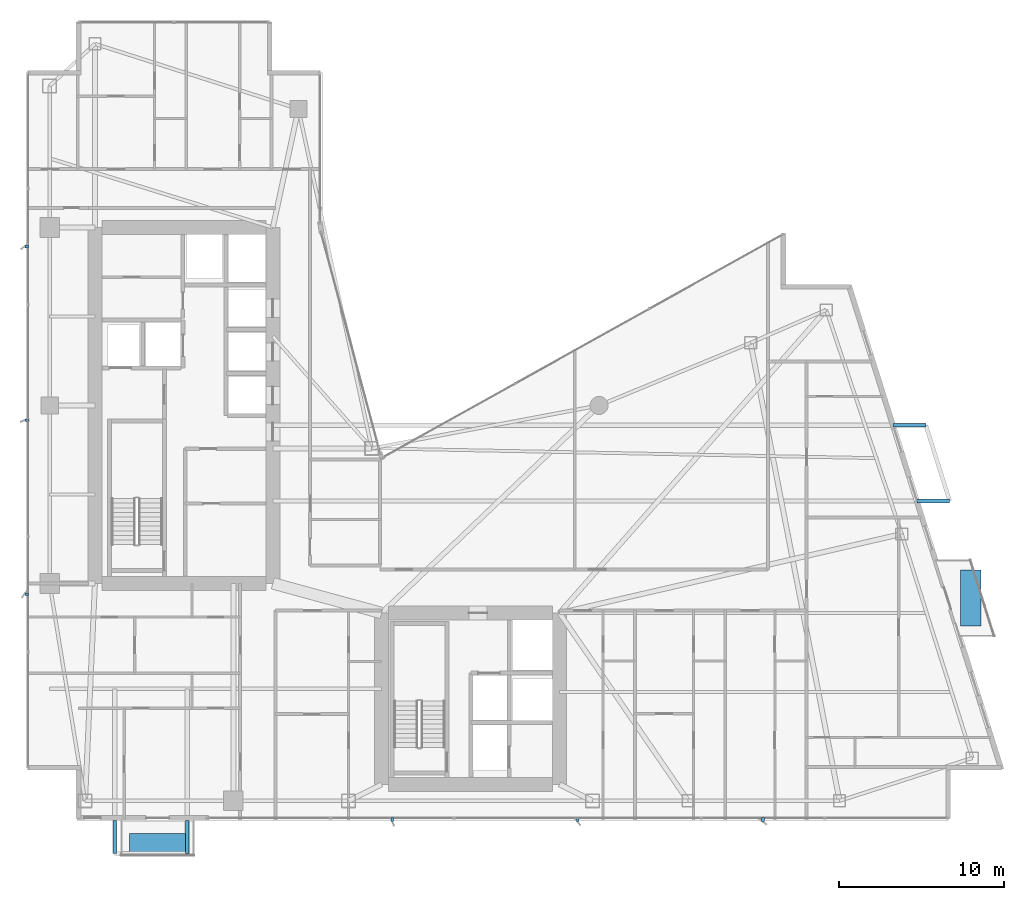
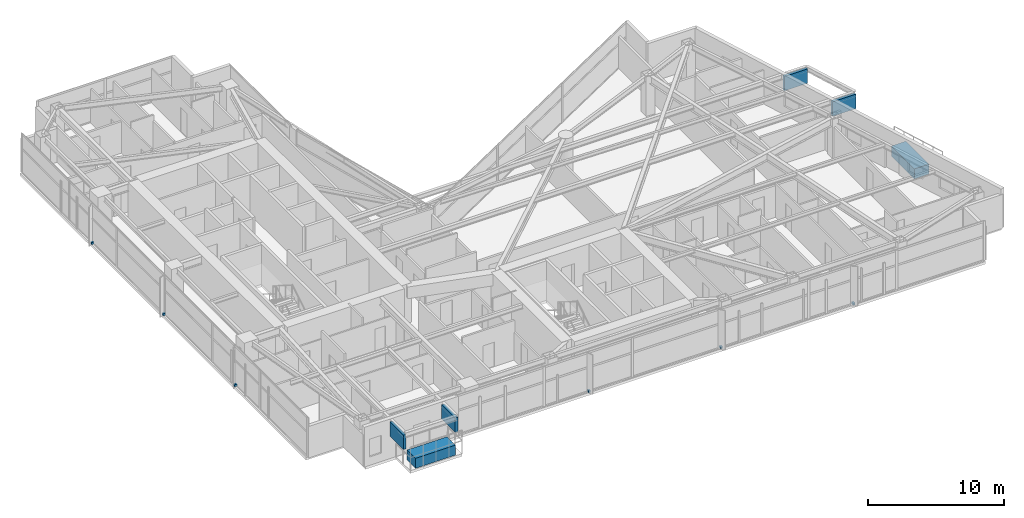
# One storey, part 26 of 28: 12 discrete accessories.
"""IFC4 building model written with IfcOpenShell, lengths in metres."""

import ifcopenshell
import ifcopenshell.guid

model = None  # the IFC model being written
_history = None  # IfcOwnerHistory: only IFC2X3 demands one
_inside = {}  # id of a spatial element -> (the spatial element, [elements in it])
_under = {}  # id of a project, library or spatial element -> (it, [spatial elements below it])
_declared = {}  # id of a project -> (the project, [libraries it declares])
_typed = {}  # id of a type object -> (the type object, [elements of that type])
_made_of = {}  # id of a material, layer set ... -> (it, [elements and type objects made of it])


def new_model(schema):
    """Start an empty IFC model of exactly this schema.

    Asked for "IFC4X3", IfcOpenShell would pick the latest addendum, in which some entities
    have other attributes; the version numbers below select the first issue.
    IFC2X3 requires an IfcOwnerHistory on every rooted entity: one is made here for all.
    """
    global model, _history
    if schema == "IFC4X3":
        model = ifcopenshell.file(schema_version=(4, 3, 0, 0))
    else:
        model = ifcopenshell.file(schema=schema)
    _inside.clear()
    _under.clear()
    _declared.clear()
    _typed.clear()
    _made_of.clear()
    _history = None
    if model.schema == "IFC2X3":
        org = make("IfcOrganization", Name="unknown")
        user = make(
            "IfcPersonAndOrganization",
            ThePerson=make("IfcPerson", FamilyName="unknown"),
            TheOrganization=org,
        )
        app = make(
            "IfcApplication",
            ApplicationDeveloper=org,
            Version="unknown",
            ApplicationFullName="unknown",
            ApplicationIdentifier="unknown",
        )
        _history = make(
            "IfcOwnerHistory",
            OwningUser=user,
            OwningApplication=app,
            ChangeAction="ADDED",
            CreationDate=0,
        )
    return model


def make(cls, **values):
    """One entity of the class cls with the attributes given. An attribute that is None is left unset."""
    return model.create_entity(
        cls, **{name: value for name, value in values.items() if value is not None}
    )


def rooted(cls, **values):
    """An entity with a GlobalId (a new one), such as an element, a storey or a relation."""
    return make(cls, GlobalId=ifcopenshell.guid.new(), OwnerHistory=_history, **values)


def si_unit(unit_type, name, prefix=None):
    """IfcSIUnit, for example si_unit("LENGTHUNIT", "METRE", prefix="MILLI")."""
    return make("IfcSIUnit", UnitType=unit_type, Prefix=prefix, Name=name)


def assignment(units):
    """IfcUnitAssignment: the units of a project."""
    return None if units is None else make("IfcUnitAssignment", Units=units)


def point(xyz):
    """IfcCartesianPoint."""
    return None if xyz is None else make("IfcCartesianPoint", Coordinates=xyz)


def direction(xyz):
    """IfcDirection."""
    return None if xyz is None else make("IfcDirection", DirectionRatios=xyz)


def frame(location, z_axis=None, x_axis=None):
    """IfcAxis2Placement3D, a coordinate frame: its origin and axes. An axis left out is left unset."""
    return make(
        "IfcAxis2Placement3D",
        Location=point(location),
        Axis=direction(z_axis),
        RefDirection=direction(x_axis),
    )


def frame_2d(location, x_axis=None):
    """IfcAxis2Placement2D, a coordinate frame in the plane: its origin and x axis."""
    return make(
        "IfcAxis2Placement2D", Location=point(location), RefDirection=direction(x_axis)
    )


def origin():
    """The frame at (0, 0, 0) with its axes left unset."""
    return frame((0.0, 0.0, 0.0))


def origin_2d():
    """The frame at (0, 0) in the plane with its x axis left unset."""
    return frame_2d((0.0, 0.0))


def place(relative_to, where):
    """IfcLocalPlacement: puts the frame where relative to a parent placement (None: the world)."""
    return make(
        "IfcLocalPlacement", PlacementRelTo=relative_to, RelativePlacement=where
    )


def context(
    kind, dimensions, precision=None, world=None, true_north=None, identifier=None
):
    """IfcGeometricRepresentationContext, for example the 3D "Model" context."""
    return make(
        "IfcGeometricRepresentationContext",
        ContextIdentifier=identifier,
        ContextType=kind,
        CoordinateSpaceDimension=dimensions,
        Precision=precision,
        WorldCoordinateSystem=world,
        TrueNorth=true_north,
    )


def subcontext(parent, identifier, kind, view, scale=None):
    """IfcGeometricRepresentationSubContext, for example "Body" below "Model"."""
    return make(
        "IfcGeometricRepresentationSubContext",
        ContextIdentifier=identifier,
        ContextType=kind,
        ParentContext=parent,
        TargetScale=scale,
        TargetView=view,
    )


def project(units=None, contexts=None):
    """IfcProject with its units and contexts."""
    return rooted(
        "IfcProject",
        Name="project",
        RepresentationContexts=contexts,
        UnitsInContext=assignment(units),
    )


def spatial(cls, under=None, at=None, **own):
    """A site, building, storey or space (cls), placed at a placement, below another one or the project."""
    s = rooted(cls, ObjectPlacement=at, **own)
    if under is not None:
        _under.setdefault(under.id(), (under, []))[1].append(s)
    return s


def profile(cls, at=None, kind="AREA", **sizes):
    """A parametric profile (cls). Its sizes go by their IFC names, for example OverallWidth=200.0."""
    return make(cls, ProfileType=kind, Position=at, **sizes)


def rectangle(**sizes):
    """IfcRectangleProfileDef."""
    return profile("IfcRectangleProfileDef", **sizes)


def extrude(swept, where, along, depth):
    """IfcExtrudedAreaSolid: the profile swept, set in the frame where, extruded along a direction by depth."""
    return make(
        "IfcExtrudedAreaSolid",
        SweptArea=swept,
        Position=where,
        ExtrudedDirection=direction(along),
        Depth=depth,
    )


def shape(context_of_items, identifier, shape_type, items):
    """IfcShapeRepresentation: the items that make up one representation, for example the "Body"."""
    return make(
        "IfcShapeRepresentation",
        ContextOfItems=context_of_items,
        RepresentationIdentifier=identifier,
        RepresentationType=shape_type,
        Items=items,
    )


def material(Name=None, Category=None):
    """IfcMaterial."""
    return make("IfcMaterial", Name=Name, Category=Category)


def made_of(thing, what):
    """Note that an element or type object is made of a material, layer set ...; save() writes the relation."""
    if what is not None:
        _made_of.setdefault(what.id(), (what, []))[1].append(thing)
    return thing


def type_object(cls, material=None, **own):
    """A type object (cls), such as IfcWallType, which elements share."""
    return made_of(rooted(cls, **own), material)


def element(
    cls,
    number,
    at=None,
    inside=None,
    cuts=None,
    type_object=None,
    material=None,
    context=None,
    identifier="Body",
    shape_type=None,
    held_by="IfcProductDefinitionShape",
    body=None,
    shapes=None,
    **own,
):
    """One element of the class cls, such as IfcWall. Its Tag is "e" and its number.

    at: its placement. inside: the storey or other place that contains it. cuts: it is an
    opening in that element (IfcRelVoidsElement). A single representation is given by context,
    identifier, shape_type and body (its items); several are given by shapes. held_by: the class
    of the entity that holds the representations. save() writes the other relations.
    """
    e = rooted(cls, Tag="e%d" % number, ObjectPlacement=at, **own)
    if body is not None:
        shapes = [shape(context, identifier, shape_type, body)]
    if shapes is not None:
        e.Representation = make(held_by, Representations=shapes)
    if inside is not None:
        _inside.setdefault(inside.id(), (inside, []))[1].append(e)
    if cuts is not None:
        rooted(
            "IfcRelVoidsElement", RelatingBuildingElement=cuts, RelatedOpeningElement=e
        )
    if type_object is not None:
        _typed.setdefault(type_object.id(), (type_object, []))[1].append(e)
    return made_of(e, material)


def aggregate(whole, parts):
    """IfcRelAggregates: a whole, such as a stair, and the parts it consists of."""
    return rooted("IfcRelAggregates", RelatingObject=whole, RelatedObjects=parts)


def save(model, path):
    """Write the relations noted so far, then the file.

    IfcRelAggregates (storeys below a building ...), IfcRelContainedInSpatialStructure (elements
    in a storey), IfcRelDefinesByType, IfcRelAssociatesMaterial and IfcRelDeclares: one each for
    every whole, place, type object, material and project.
    """
    for whole, parts in _under.values():
        aggregate(whole, parts)
    for where, things in _inside.values():
        rooted(
            "IfcRelContainedInSpatialStructure",
            RelatedElements=things,
            RelatingStructure=where,
        )
    for kind, things in _typed.values():
        rooted("IfcRelDefinesByType", RelatedObjects=things, RelatingType=kind)
    for what, things in _made_of.values():
        rooted("IfcRelAssociatesMaterial", RelatedObjects=things, RelatingMaterial=what)
    for by, libraries in _declared.values():
        rooted("IfcRelDeclares", RelatingContext=by, RelatedDefinitions=libraries)
    model.write(path)


model = new_model("IFC4")

# Units and contexts
model_context = context("Model", 3, precision=1e-05, world=origin(), true_north=direction((0.0, 1.0)))
body_context = subcontext(model_context, "Body", "Model", "MODEL_VIEW")
ifc_project = project(units=[si_unit("LENGTHUNIT", "METRE"), si_unit("AREAUNIT", "SQUARE_METRE"), si_unit("VOLUMEUNIT", "CUBIC_METRE"), si_unit("PLANEANGLEUNIT", "RADIAN"), si_unit("MASSUNIT", "GRAM", prefix="KILO")], contexts=[model_context])

# Site, building, storey
site_placement = place(None, origin())
site = spatial("IfcSite", under=ifc_project, at=site_placement, CompositionType="ELEMENT")
building_placement = place(site_placement, origin())
building = spatial("IfcBuilding", under=site, at=building_placement, Name="Calvorn Quay Hotel", CompositionType="ELEMENT")
storey_placement = place(building_placement, frame((0.0, 0.0, 108.800048828125)))
storey = spatial("IfcBuildingStorey", under=building, at=storey_placement, Name="L26", CompositionType="ELEMENT", Elevation=108.800048828125)

# Discrete accessories
ifc_material_1 = material(Name="Steel Q355B", Category="steel")
discrete_accessory_type_1 = type_object("IfcDiscreteAccessoryType", Name="ACC-BALC-STRUT", PredefinedType="BRACKET", material=ifc_material_1)
for number, where, z_axis, x_axis, name in (
    (1, (55.091064453125, 21.800048828125, 2.01513671875), (0.0, 0.0, 1.0), (1.0, 0.0, 0.0), "Exterior Balcony Steel Bracket L27-BALC-E-A"),
    (2, (53.64208984375, 26.39990234375, 2.01513671875), (0.0, 0.0, 1.0), (1.0, 0.0, 0.0), "Exterior Balcony Steel Bracket L27-BALC-E-B"),
):
    element("IfcDiscreteAccessory", number, at=place(storey_placement, frame(where, z_axis=z_axis, x_axis=x_axis)), inside=storey, type_object=discrete_accessory_type_1, Name=name, PredefinedType="BRACKET", context=body_context, shape_type="SweptSolid", body=[
        extrude(rectangle(XDim=1.989990234375, YDim=0.219970703125, at=origin_2d()), origin(), (0.0, 0.0, 1.0), 1.300048828125),
    ])
for number, where, z_axis, x_axis, name in (
    (3, (5.39990234375, 1.405029296875, 2.01513671875), (0.0, 0.0, 1.0), (1.0, 0.0, 0.0), "Exterior Balcony Steel Bracket L27-BALC-S-A"),
    (4, (9.800048828125, 1.405029296875, 2.01513671875), (0.0, 0.0, 1.0), (1.0, 0.0, 0.0), "Exterior Balcony Steel Bracket L27-BALC-S-B"),
):
    element("IfcDiscreteAccessory", number, at=place(storey_placement, frame(where, z_axis=z_axis, x_axis=x_axis)), inside=storey, type_object=discrete_accessory_type_1, Name=name, PredefinedType="BRACKET", context=body_context, shape_type="SweptSolid", body=[
        extrude(rectangle(XDim=0.219970703125, YDim=1.989990234375, at=origin_2d()), origin(), (0.0, 0.0, 1.0), 1.300048828125),
    ])
ifc_material_2 = material(Name="Steel Q355B", Category="steel")
discrete_accessory_type_2 = type_object("IfcDiscreteAccessoryType", Name="ACC-FIN-BRACKET", PredefinedType="BRACKET", material=ifc_material_2)
for number, where, z_axis, x_axis, name in (
    (5, (0.06005859375, 16.14990234375, 0.02978515625), (0.0, 0.0, 1.0), (1.0, 0.0, 0.0), "Fin Anchor Bracket L26-W01"),
    (6, (0.06005859375, 26.699951171875, 0.02978515625), (0.0, 0.0, 1.0), (1.0, 0.0, 0.0), "Fin Anchor Bracket L26-W02"),
    (7, (0.06005859375, 37.25, 0.02978515625), (0.0, 0.0, 1.0), (1.0, 0.0, 0.0), "Fin Anchor Bracket L26-W03"),
    (8, (22.25, 2.4599609375, 0.02978515625), (0.0, 0.0, 1.0), (0.0, 1.0, 0.0), "Fin Anchor Bracket L26-S01"),
    (9, (33.5, 2.4599609375, 0.02978515625), (0.0, 0.0, 1.0), (0.0, 1.0, 0.0), "Fin Anchor Bracket L26-S02"),
    (10, (44.75, 2.4599609375, 0.02978515625), (0.0, 0.0, 1.0), (0.0, 1.0, 0.0), "Fin Anchor Bracket L26-S03"),
):
    element("IfcDiscreteAccessory", number, at=place(storey_placement, frame(where, z_axis=z_axis, x_axis=x_axis)), inside=storey, type_object=discrete_accessory_type_2, Name=name, PredefinedType="BRACKET", context=body_context, shape_type="SweptSolid", body=[
        extrude(rectangle(XDim=0.239990234375, YDim=0.159912109375, at=origin_2d()), origin(), (0.0, 0.0, 1.0), 0.179931640625),
    ])
ifc_material_3 = material(Name="Precast concrete C40", Category="concrete")
discrete_accessory_type_3 = type_object("IfcDiscreteAccessoryType", Name="ACC-TREE-PLANTER", PredefinedType="USERDEFINED", material=ifc_material_3)
discrete_accessory_1_placement = place(storey_placement, frame((57.364013671875, 15.89990234375, 0.0), z_axis=(0.0, 0.0, 1.0), x_axis=(1.0, 0.0, 0.0)))
element("IfcDiscreteAccessory", 11, at=discrete_accessory_1_placement, inside=storey, type_object=discrete_accessory_type_3, Name="Subtropical Tree Structural Planter L26-BALC-E", ObjectType="PLANTER", PredefinedType="USERDEFINED", context=body_context, shape_type="SweptSolid", body=[
    extrude(rectangle(XDim=1.25, YDim=3.39990234375, at=origin_2d()), origin(), (0.0, 0.0, 1.0), 0.89990234375),
])
discrete_accessory_2_placement = place(storey_placement, frame((8.0, 0.989990234375, 0.0), z_axis=(0.0, 0.0, 1.0), x_axis=(1.0, 0.0, 0.0)))
element("IfcDiscreteAccessory", 12, at=discrete_accessory_2_placement, inside=storey, type_object=discrete_accessory_type_3, Name="Subtropical Tree Structural Planter L26-BALC-S", ObjectType="PLANTER", PredefinedType="USERDEFINED", context=body_context, shape_type="SweptSolid", body=[
    extrude(rectangle(XDim=3.39990234375, YDim=1.25, at=origin_2d()), origin(), (0.0, 0.0, 1.0), 0.89990234375),
])

save(model, "model.ifc")
